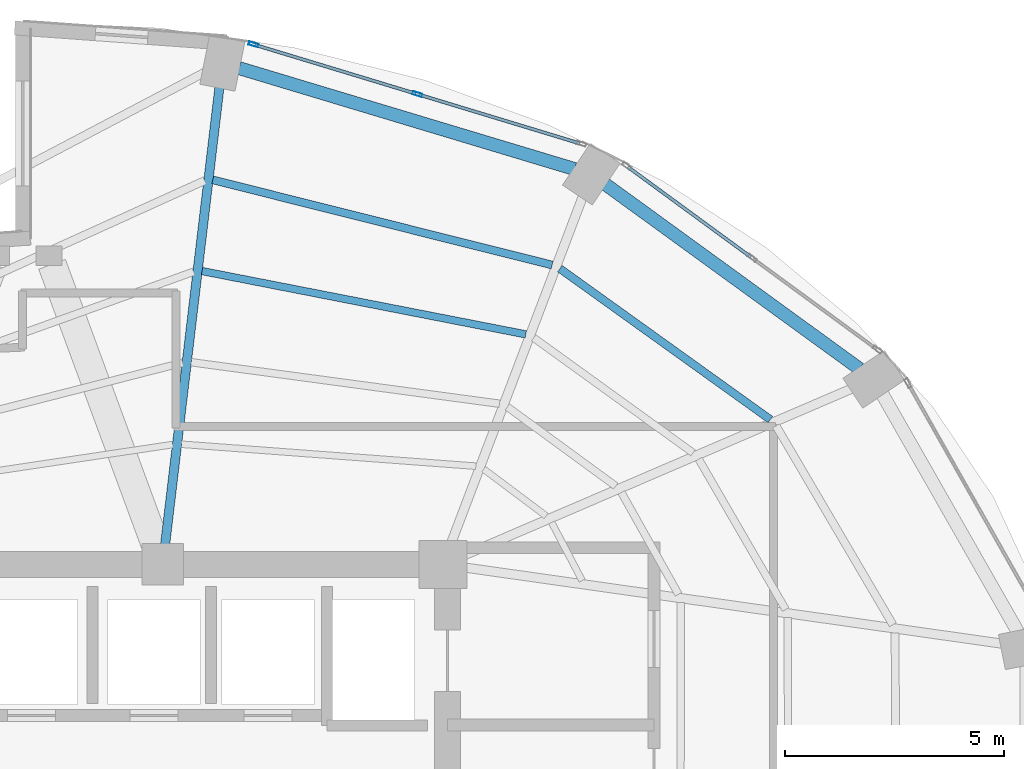
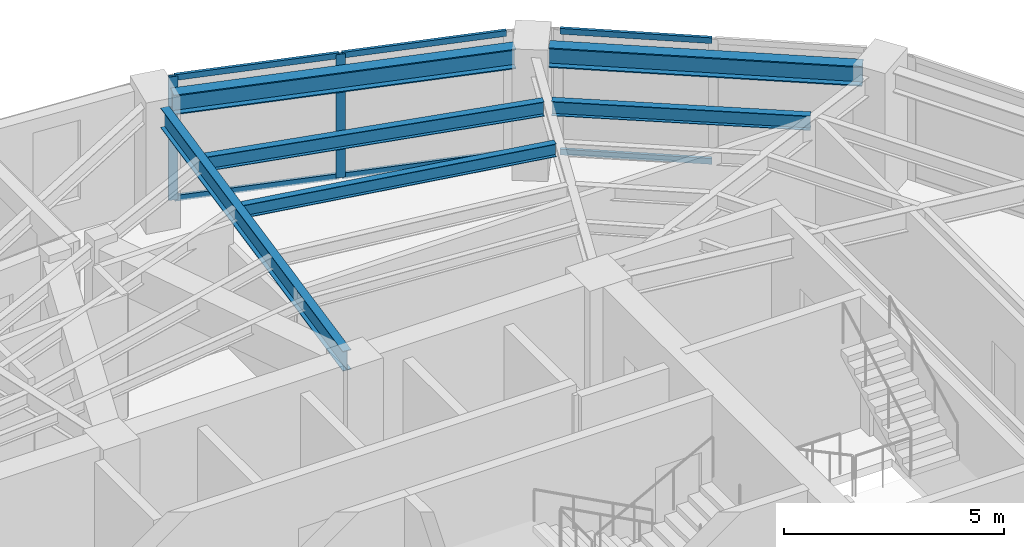
# One storey, part 13 of 20: 8 members, 6 beams, 2 elements without a shape of their own.
"""IFC4 building model written with IfcOpenShell, lengths in metres."""

from ifc_helpers import new_model, si_unit, direction, frame, origin, origin_2d, place, context, subcontext, project, spatial, hollow_rectangle, i_section, extrude, material, layer, layer_set, material_profile, profile_set, type_object, element, aggregate, save


model = new_model("IFC4")

# Units and contexts
model_context = context("Model", 3, precision=1e-05, world=origin(), true_north=direction((0.0, 1.0)))
body_context = subcontext(model_context, "Body", "Model", "MODEL_VIEW")
ifc_project = project(units=[si_unit("LENGTHUNIT", "METRE"), si_unit("AREAUNIT", "SQUARE_METRE"), si_unit("VOLUMEUNIT", "CUBIC_METRE"), si_unit("PLANEANGLEUNIT", "RADIAN"), si_unit("MASSUNIT", "GRAM", prefix="KILO")], contexts=[model_context])

# Site, building, storey
site_placement = place(None, origin())
site = spatial("IfcSite", under=ifc_project, at=site_placement, CompositionType="ELEMENT")
building_placement = place(site_placement, origin())
building = spatial("IfcBuilding", under=site, at=building_placement, Name="Lazwardi Medical Tower", CompositionType="ELEMENT")
storey_placement = place(building_placement, frame((0.0, 0.0, 178.416015625)))
storey = spatial("IfcBuildingStorey", under=building, at=storey_placement, Name="L46", CompositionType="ELEMENT", Elevation=178.416015625)

# Beams
ifc_material_1 = material(Name="Steel S355", Category="steel")
ifc_material_profile_1 = material_profile(ifc_material_1, i_section(OverallWidth=0.300048828125, OverallDepth=0.550048828125, WebThickness=0.014892578125, FlangeThickness=0.029052734375, at=origin_2d()), Name="HEB 550")
ifc_profile_set_1 = profile_set([ifc_material_profile_1], Name="Steel S355")
beam_type_1 = type_object("IfcBeamType", Name="BM-RB-Z3", PredefinedType="BEAM", material=ifc_profile_set_1)
beam_1_placement = place(storey_placement, frame((55.11181640625, 40.06591796875, 3.153076171875), z_axis=(-0.809127570774, 0.587633026824, 0.0), x_axis=(-0.587633026824, -0.809127570774, 0.0)))
element("IfcBeam", 1, at=beam_1_placement, inside=storey, type_object=beam_type_1, Name="Ring beam RB-04 B06 L46", PredefinedType="BEAM", context=body_context, shape_type="SweptSolid", body=[
    extrude(i_section(OverallWidth=0.300048828125, OverallDepth=0.550048828125, WebThickness=0.014892578125, FlangeThickness=0.029052734375, at=origin_2d()), origin(), (0.0, 0.0, 1.0), 7.170166015625),
])
beam_2_placement = place(storey_placement, frame((48.603515625, 44.62939453125, 3.153076171875), z_axis=(-0.957616873483, 0.288045002771, 0.0), x_axis=(-0.288045002771, -0.957616873483, 0.0)))
element("IfcBeam", 2, at=beam_2_placement, inside=storey, type_object=beam_type_1, Name="Ring beam RB-04 B07 L46", PredefinedType="BEAM", context=body_context, shape_type="SweptSolid", body=[
    extrude(i_section(OverallWidth=0.300048828125, OverallDepth=0.550048828125, WebThickness=0.014892578125, FlangeThickness=0.029052734375, at=origin_2d()), origin(), (0.0, 0.0, 1.0), 7.99951171875),
])
ifc_material_profile_2 = material_profile(ifc_material_1, i_section(OverallWidth=0.2099609375, OverallDepth=0.550048828125, WebThickness=0.010986328125, FlangeThickness=0.01708984375, at=origin_2d()), Name="IPE 550")
ifc_profile_set_2 = profile_set([ifc_material_profile_2], Name="Steel S355")
beam_type_2 = type_object("IfcBeamType", Name="BM-RG-W2", PredefinedType="BEAM", material=ifc_profile_set_2)
beam_3_placement = place(storey_placement, frame((40.494140625, 46.49267578125, 3.153076171875), z_axis=(-0.117968004211, -0.993017396616, 0.0), x_axis=(0.993017396616, -0.117968004211, 0.0)))
element("IfcBeam", 3, at=beam_3_placement, inside=storey, type_object=beam_type_2, Name="Radial girder RG-03 R08 L46", PredefinedType="BEAM", context=body_context, shape_type="SweptSolid", body=[
    extrude(i_section(OverallWidth=0.2099609375, OverallDepth=0.550048828125, WebThickness=0.010986328125, FlangeThickness=0.01708984375, at=origin_2d()), origin(), (0.0, 0.0, 1.0), 10.50927734375),
])
ifc_material_profile_3 = material_profile(ifc_material_1, i_section(OverallWidth=0.179931640625, OverallDepth=0.39990234375, WebThickness=0.008544921875, FlangeThickness=0.013427734375, at=origin_2d()), Name="IPE 400")
ifc_profile_set_3 = profile_set([ifc_material_profile_3], Name="Steel S355")
beam_type_3 = type_object("IfcBeamType", Name="BM-SJ-01", PredefinedType="JOIST", material=ifc_profile_set_3)
beam_4_placement = place(storey_placement, frame((53.073974609375, 38.908203125, 3.22802734375), z_axis=(-0.812602017757, 0.582818977675, 0.0), x_axis=(-0.582818977675, -0.812602017757, 0.0)))
element("IfcBeam", 4, at=beam_4_placement, inside=storey, type_object=beam_type_3, Name="Secondary joist SJ-01 R1 B06 L46", PredefinedType="JOIST", context=body_context, shape_type="SweptSolid", body=[
    extrude(i_section(OverallWidth=0.179931640625, OverallDepth=0.39990234375, WebThickness=0.008544921875, FlangeThickness=0.013427734375, at=origin_2d()), origin(), (0.0, 0.0, 1.0), 5.91259765625),
])
beam_5_placement = place(storey_placement, frame((48.091064453125, 42.43701171875, 3.22802734375), z_axis=(-0.969933596942, 0.243369713652, 0.0), x_axis=(-0.243369713652, -0.969933596942, 0.0)))
element("IfcBeam", 5, at=beam_5_placement, inside=storey, type_object=beam_type_3, Name="Secondary joist SJ-01 R1 B07 L46", PredefinedType="JOIST", context=body_context, shape_type="SweptSolid", body=[
    extrude(i_section(OverallWidth=0.179931640625, OverallDepth=0.39990234375, WebThickness=0.008544921875, FlangeThickness=0.013427734375, at=origin_2d()), origin(), (0.0, 0.0, 1.0), 7.98828125),
])
ifc_material_profile_4 = material_profile(ifc_material_1, i_section(OverallWidth=0.169921875, OverallDepth=0.360107421875, WebThickness=0.008056640625, FlangeThickness=0.0126953125, at=origin_2d()), Name="IPE 360")
ifc_profile_set_4 = profile_set([ifc_material_profile_4], Name="Steel S355")
beam_type_4 = type_object("IfcBeamType", Name="BM-SJ-02", PredefinedType="JOIST", material=ifc_profile_set_4)
beam_6_placement = place(storey_placement, frame((47.490478515625, 40.853515625, 3.248046875), z_axis=(-0.98141534692, 0.191895588353, 0.0), x_axis=(-0.191895588353, -0.98141534692, 0.0)))
element("IfcBeam", 6, at=beam_6_placement, inside=storey, type_object=beam_type_4, Name="Secondary joist SJ-02 R2 B07 L46", PredefinedType="JOIST", context=body_context, shape_type="SweptSolid", body=[
    extrude(i_section(OverallWidth=0.169921875, OverallDepth=0.360107421875, WebThickness=0.008056640625, FlangeThickness=0.0126953125, at=origin_2d()), origin(), (0.0, 0.0, 1.0), 7.534423828125),
])

# Curtain wall, members
ifc_material_2 = material(Name="Anodised bronze aluminium and solar control glazing", Category="aluminium")
ifc_layer = layer(ifc_material_2, 0.195068359375)
ifc_layer_set = layer_set([ifc_layer], Name="Anodised bronze aluminium and solar control glazing")
curtain_wall_type = type_object("IfcCurtainWallType", Name="CW-SYS-03", PredefinedType="NOTDEFINED", material=ifc_layer_set)
curtain_wall_1_placement = place(storey_placement, origin())
curtain_wall_1 = element("IfcCurtainWall", 7, at=curtain_wall_1_placement, inside=storey, type_object=curtain_wall_type, Name="L46 Unitised bronze curtain wall CW-03", PredefinedType="NOTDEFINED")
ifc_material_3 = material(Name="Anodised bronze aluminium", Category="aluminium")
ifc_material_profile_5 = material_profile(ifc_material_3, hollow_rectangle(XDim=0.074951171875, YDim=0.219970703125, WallThickness=0.00390625, at=origin_2d()), Name="ALU-MULLION 220x75x4")
ifc_profile_set_5 = profile_set([ifc_material_profile_5], Name="Anodised bronze aluminium")
member_type_1 = type_object("IfcMemberType", Name="CW-MUL-01", PredefinedType="MULLION", material=ifc_profile_set_5)
member_1_placement = place(storey_placement, frame((45.01513671875, 46.338623046875, 0.0), z_axis=(0.0, 0.0, 1.0), x_axis=(-0.290280785441, -0.956941516292, 0.0)))
member_1 = element("IfcMember", 8, at=member_1_placement, type_object=member_type_1, Name="CW-03 mullion 2", PredefinedType="MULLION", context=body_context, shape_type="SweptSolid", body=[
    extrude(hollow_rectangle(XDim=0.074951171875, YDim=0.219970703125, WallThickness=0.00390625, at=origin_2d()), origin(), (0.0, 0.0, 1.0), 3.427978515625),
])
member_2_placement = place(storey_placement, frame((41.27197265625, 47.47412109375, 0.0), z_axis=(0.0, 0.0, 1.0), x_axis=(-0.290280785441, -0.956941516292, 0.0)))
member_2 = element("IfcMember", 9, at=member_2_placement, type_object=member_type_1, Name="CW-03 mullion 3", PredefinedType="MULLION", context=body_context, shape_type="SweptSolid", body=[
    extrude(hollow_rectangle(XDim=0.074951171875, YDim=0.219970703125, WallThickness=0.00390625, at=origin_2d()), origin(), (0.0, 0.0, 1.0), 3.427978515625),
])

curtain_wall_2_placement = place(storey_placement, origin())
curtain_wall_2 = element("IfcCurtainWall", 10, at=curtain_wall_2_placement, inside=storey, type_object=curtain_wall_type, Name="L46 Unitised bronze curtain wall CW-03", PredefinedType="NOTDEFINED")
ifc_material_profile_6 = material_profile(ifc_material_3, hollow_rectangle(XDim=0.074951171875, YDim=0.159912109375, WallThickness=0.00390625, at=origin_2d()), Name="ALU-TRANSOM 160x75x4")
ifc_profile_set_6 = profile_set([ifc_material_profile_6], Name="Anodised bronze aluminium")
member_type_2 = type_object("IfcMemberType", Name="CW-TRN-01", PredefinedType="USERDEFINED", material=ifc_profile_set_6)
member_3_placement = place(storey_placement, frame((52.62744140625, 42.62109375, 0.03759765625), z_axis=(-0.806807161185, 0.590814864962, 0.0), x_axis=(-0.590814864962, -0.806807161185, 0.0)))
member_3 = element("IfcMember", 11, at=member_3_placement, type_object=member_type_2, Name="CW-03 transom 2.1", ObjectType="TRANSOM", PredefinedType="USERDEFINED", context=body_context, shape_type="SweptSolid", body=[
    extrude(hollow_rectangle(XDim=0.074951171875, YDim=0.159912109375, WallThickness=0.00390625, at=origin_2d()), origin(), (0.0, 0.0, 1.0), 3.472412109375),
])
member_4_placement = place(storey_placement, frame((52.62744140625, 42.62109375, 3.390380859375), z_axis=(-0.806807161185, 0.590814864962, 0.0), x_axis=(-0.590814864962, -0.806807161185, 0.0)))
member_4 = element("IfcMember", 12, at=member_4_placement, type_object=member_type_2, Name="CW-03 transom 2.2", ObjectType="TRANSOM", PredefinedType="USERDEFINED", context=body_context, shape_type="SweptSolid", body=[
    extrude(hollow_rectangle(XDim=0.074951171875, YDim=0.159912109375, WallThickness=0.00390625, at=origin_2d()), origin(), (0.0, 0.0, 1.0), 3.472412109375),
])
aggregate(curtain_wall_2, [member_3, member_4])

# Member
member_5_placement = place(storey_placement, frame((48.72216796875, 45.214111328125, 0.03759765625), z_axis=(-0.956930154175, 0.290318239233, 0.0), x_axis=(-0.290318239233, -0.956930154175, 0.0)))
member_5 = element("IfcMember", 13, at=member_5_placement, type_object=member_type_2, Name="CW-03 transom 1.1", ObjectType="TRANSOM", PredefinedType="USERDEFINED", context=body_context, shape_type="SweptSolid", body=[
    extrude(hollow_rectangle(XDim=0.074951171875, YDim=0.159912109375, WallThickness=0.00390625, at=origin_2d()), origin(), (0.0, 0.0, 1.0), 3.83642578125),
])

member_6_placement = place(storey_placement, frame((48.72216796875, 45.214111328125, 3.390380859375), z_axis=(-0.956930154175, 0.290318239233, 0.0), x_axis=(-0.290318239233, -0.956930154175, 0.0)))
member_6 = element("IfcMember", 14, at=member_6_placement, type_object=member_type_2, Name="CW-03 transom 1.2", ObjectType="TRANSOM", PredefinedType="USERDEFINED", context=body_context, shape_type="SweptSolid", body=[
    extrude(hollow_rectangle(XDim=0.074951171875, YDim=0.159912109375, WallThickness=0.00390625, at=origin_2d()), origin(), (0.0, 0.0, 1.0), 3.83642578125),
])

member_7_placement = place(storey_placement, frame((44.979248046875, 46.349609375, 0.03759765625), z_axis=(-0.95695319357, 0.290242287264, 0.0), x_axis=(-0.290242287264, -0.95695319357, 0.0)))
member_7 = element("IfcMember", 15, at=member_7_placement, type_object=member_type_2, Name="CW-03 transom 2.1", ObjectType="TRANSOM", PredefinedType="USERDEFINED", context=body_context, shape_type="SweptSolid", body=[
    extrude(hollow_rectangle(XDim=0.074951171875, YDim=0.159912109375, WallThickness=0.00390625, at=origin_2d()), origin(), (0.0, 0.0, 1.0), 3.83642578125),
])

member_8_placement = place(storey_placement, frame((44.979248046875, 46.349609375, 3.390380859375), z_axis=(-0.95695319357, 0.290242287264, 0.0), x_axis=(-0.290242287264, -0.95695319357, 0.0)))
member_8 = element("IfcMember", 16, at=member_8_placement, type_object=member_type_2, Name="CW-03 transom 2.2", ObjectType="TRANSOM", PredefinedType="USERDEFINED", context=body_context, shape_type="SweptSolid", body=[
    extrude(hollow_rectangle(XDim=0.074951171875, YDim=0.159912109375, WallThickness=0.00390625, at=origin_2d()), origin(), (0.0, 0.0, 1.0), 3.83642578125),
])

aggregate(curtain_wall_1, [member_1, member_2, member_5, member_6, member_7, member_8])

save(model, "model.ifc")
